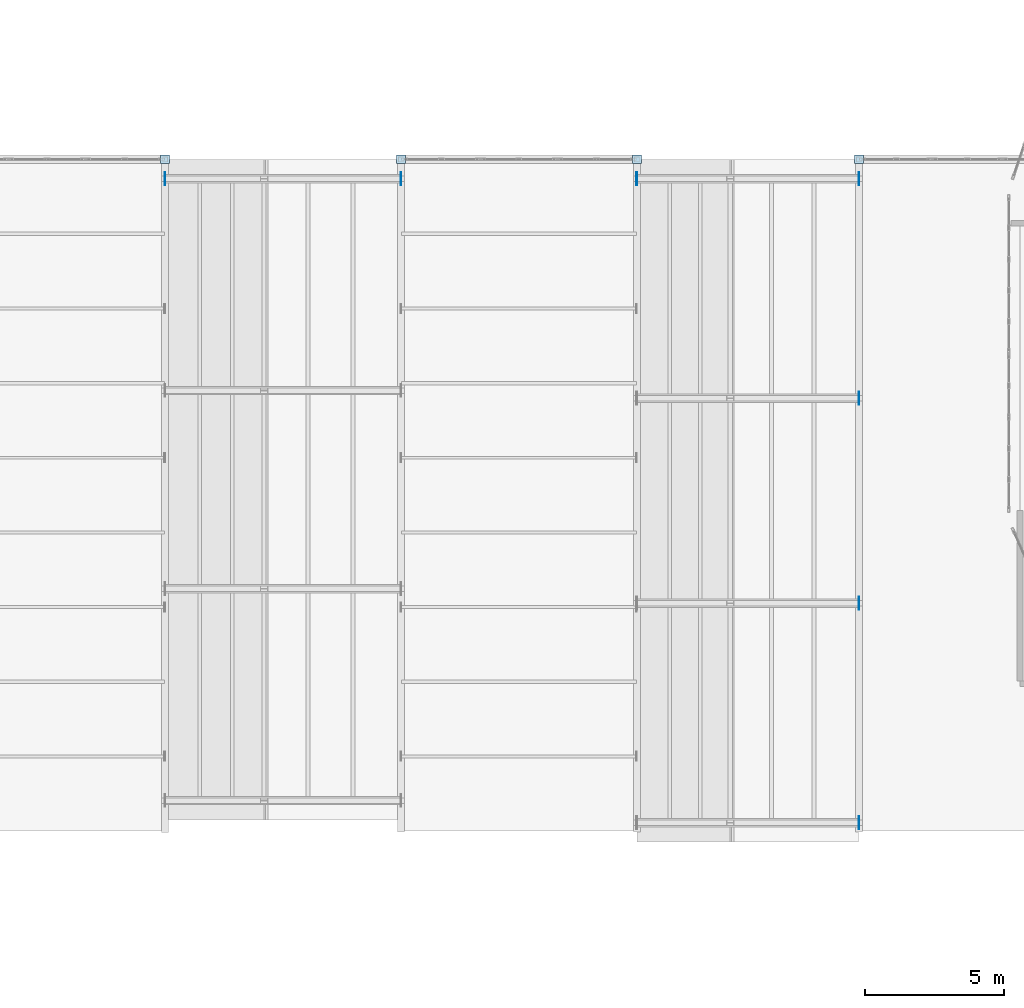
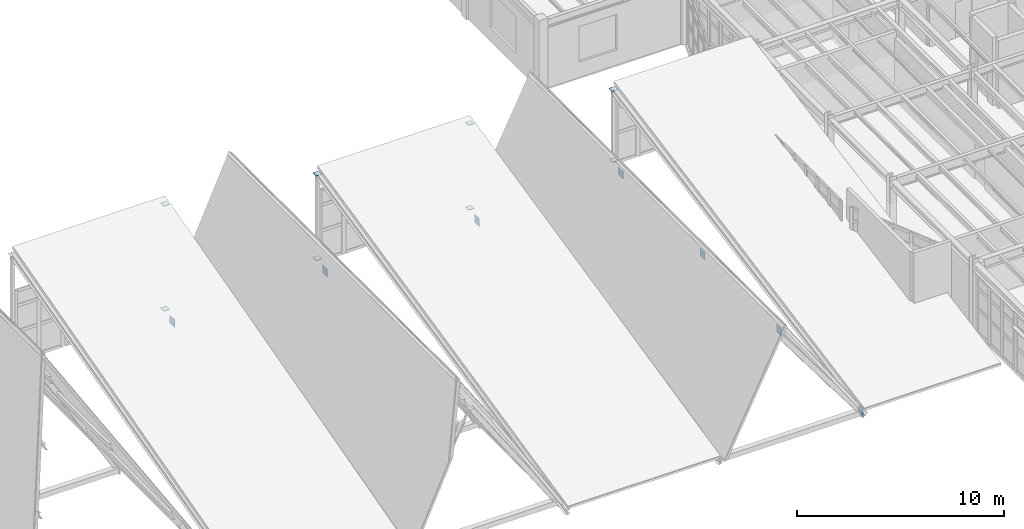
# One storey, part 68 of 77: 15 plates.
"""IFC4 building model written with IfcOpenShell, lengths in metres."""

from ifc_helpers import new_model, si_unit, direction, frame, origin, origin_2d, place, context, subcontext, project, spatial, rectangle, extrude, material, material_profile, profile_set, type_object, element, save


model = new_model("IFC4")

# Units and contexts
model_context = context("Model", 3, precision=1e-05, world=origin(), true_north=direction((0.0, 1.0)))
body_context = subcontext(model_context, "Body", "Model", "MODEL_VIEW")
ifc_project = project(units=[si_unit("LENGTHUNIT", "METRE"), si_unit("AREAUNIT", "SQUARE_METRE"), si_unit("VOLUMEUNIT", "CUBIC_METRE"), si_unit("PLANEANGLEUNIT", "RADIAN"), si_unit("MASSUNIT", "GRAM", prefix="KILO"), si_unit("THERMODYNAMICTEMPERATUREUNIT", "KELVIN"), si_unit("POWERUNIT", "WATT")], contexts=[model_context])

# Site, building, storey
site_placement = place(None, origin())
site = spatial("IfcSite", under=ifc_project, at=site_placement, CompositionType="ELEMENT")
building_placement = place(site_placement, origin())
building = spatial("IfcBuilding", under=site, at=building_placement, Name="Zhenchuan Central Fire Station", CompositionType="ELEMENT")
storey_placement = place(building_placement, frame((0.0, 0.0, 10.050048828125)))
storey = spatial("IfcBuildingStorey", under=building, at=storey_placement, Name="L03", CompositionType="ELEMENT", Elevation=10.050048828125)

# Plates
ifc_material = material(Name="Steel Q355B", Category="steel")
ifc_material_profile_1 = material_profile(ifc_material, rectangle(XDim=0.320068359375, YDim=0.320068359375, at=origin_2d()), Name="PL 320x320x20")
ifc_profile_set_1 = profile_set([ifc_material_profile_1], Name="Steel Q355B")
plate_type_1 = type_object("IfcPlateType", Name="PL-CAP20", PredefinedType="SHEET", material=ifc_profile_set_1)
for number, where, z_axis, x_axis, name in (
    (1, (107.0, 35.5, -0.01611328125), (0.0, 0.0, 1.0), (1.0, 0.0, 0.0), "Pavilion H06 North-Light Truss Post 2 end cap plate A"),
    (2, (107.0, 35.5, 6.1650390625), (0.0, 0.0, 1.0), (1.0, 0.0, 0.0), "Pavilion H06 North-Light Truss Post 2 end cap plate B"),
    (3, (115.5, 35.5, -0.01611328125), (0.0, 0.0, 1.0), (1.0, 0.0, 0.0), "Pavilion H08 North-Light Truss Post 1 end cap plate A"),
    (4, (115.5, 35.5, 4.97314453125), (0.0, 0.0, 1.0), (1.0, 0.0, 0.0), "Pavilion H08 North-Light Truss Post 1 end cap plate B"),
    (5, (124.0, 35.5, -0.01611328125), (0.0, 0.0, 1.0), (1.0, 0.0, 0.0), "Pavilion H08 North-Light Truss Post 2 end cap plate A"),
    (6, (124.0, 35.5, 4.97314453125), (0.0, 0.0, 1.0), (1.0, 0.0, 0.0), "Pavilion H08 North-Light Truss Post 2 end cap plate B"),
    (7, (132.0, 35.5, -0.01611328125), (0.0, 0.0, 1.0), (1.0, 0.0, 0.0), "Pavilion H10 North-Light Truss Post 1 end cap plate A"),
    (8, (132.0, 35.5, 4.178466796875), (0.0, 0.0, 1.0), (1.0, 0.0, 0.0), "Pavilion H10 North-Light Truss Post 1 end cap plate B"),
):
    element("IfcPlate", number, at=place(storey_placement, frame(where, z_axis=z_axis, x_axis=x_axis)), inside=storey, type_object=plate_type_1, Name=name, PredefinedType="SHEET", context=body_context, shape_type="SweptSolid", body=[
        extrude(rectangle(XDim=0.320068359375, YDim=0.320068359375, at=origin_2d()), origin(), (0.0, 0.0, 1.0), 0.02001953125),
    ])
ifc_material_profile_2 = material_profile(ifc_material, rectangle(XDim=0.4599609375, YDim=0.4599609375, at=origin_2d()), Name="PL 460x460x28")
ifc_profile_set_2 = profile_set([ifc_material_profile_2], Name="Steel Q355B")
plate_type_2 = type_object("IfcPlateType", Name="PL-GUS28-INT", PredefinedType="SHEET", material=ifc_profile_set_2)
for number, where, z_axis, x_axis, name in (
    (9, (106.98388671875, 34.800048828125, -0.330078125), (1.0, 0.0, 0.0), (0.0, 1.0, 0.0), "Pavilion H07 Gable Bottom Chord 4 end cap plate A"),
    (10, (115.49609375, 34.800048828125, -0.330078125), (1.0, 0.0, 0.0), (0.0, 1.0, 0.0), "Pavilion H07 Gable Bottom Chord 4 end cap plate B"),
    (11, (131.99609375, 11.60009765625, -0.330078125), (1.0, 0.0, 0.0), (0.0, 1.0, 0.0), "Pavilion H09 Gable Bottom Chord 1 end cap plate B"),
    (12, (131.99609375, 19.510009765625, -0.330078125), (1.0, 0.0, 0.0), (0.0, 1.0, 0.0), "Pavilion H09 Gable Bottom Chord 2 end cap plate B"),
    (13, (131.99609375, 26.889892578125, -0.330078125), (1.0, 0.0, 0.0), (0.0, 1.0, 0.0), "Pavilion H09 Gable Bottom Chord 3 end cap plate B"),
    (14, (123.98388671875, 34.800048828125, -0.330078125), (1.0, 0.0, 0.0), (0.0, 1.0, 0.0), "Pavilion H09 Gable Bottom Chord 4 end cap plate A"),
    (15, (131.99609375, 34.800048828125, -0.330078125), (1.0, 0.0, 0.0), (0.0, 1.0, 0.0), "Pavilion H09 Gable Bottom Chord 4 end cap plate B"),
):
    element("IfcPlate", number, at=place(storey_placement, frame(where, z_axis=z_axis, x_axis=x_axis)), inside=storey, type_object=plate_type_2, Name=name, PredefinedType="SHEET", context=body_context, shape_type="SweptSolid", body=[
        extrude(rectangle(XDim=0.4599609375, YDim=0.4599609375, at=origin_2d()), origin(), (0.0, 0.0, 1.0), 0.02001953125),
    ])

save(model, "model.ifc")
